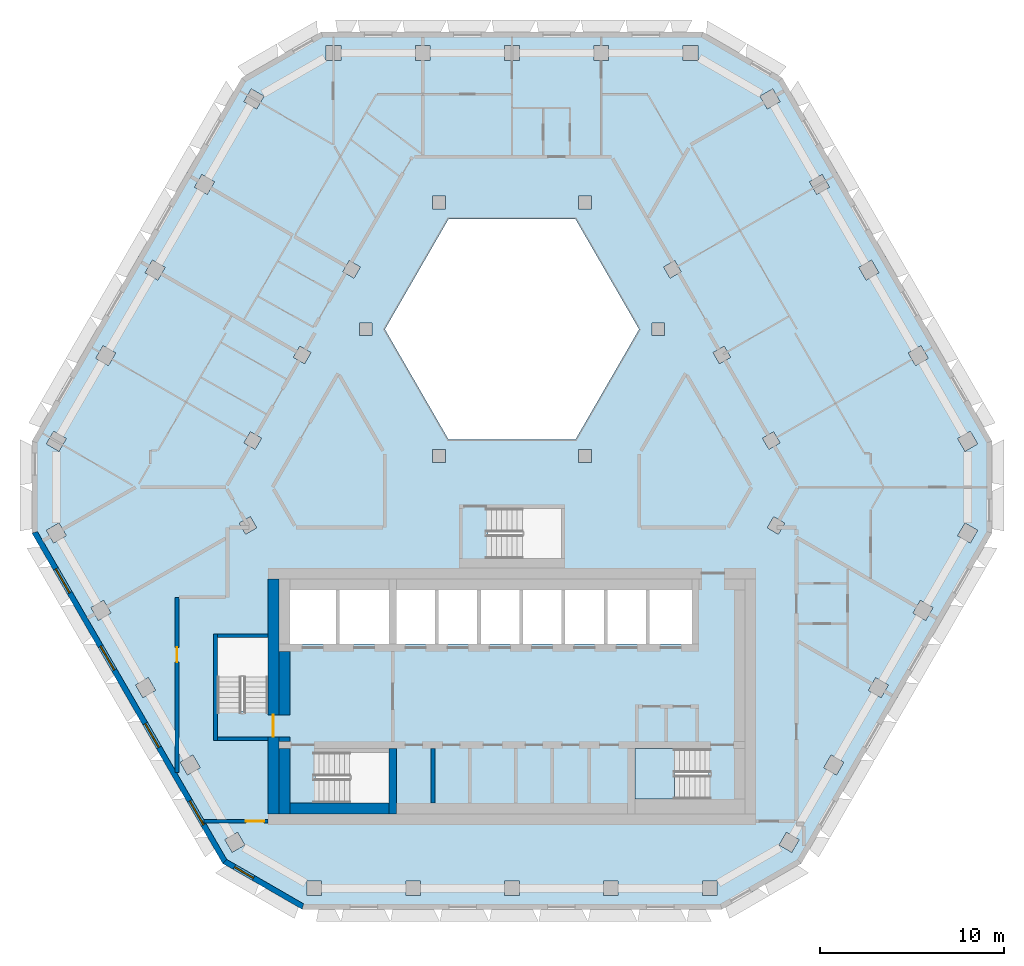
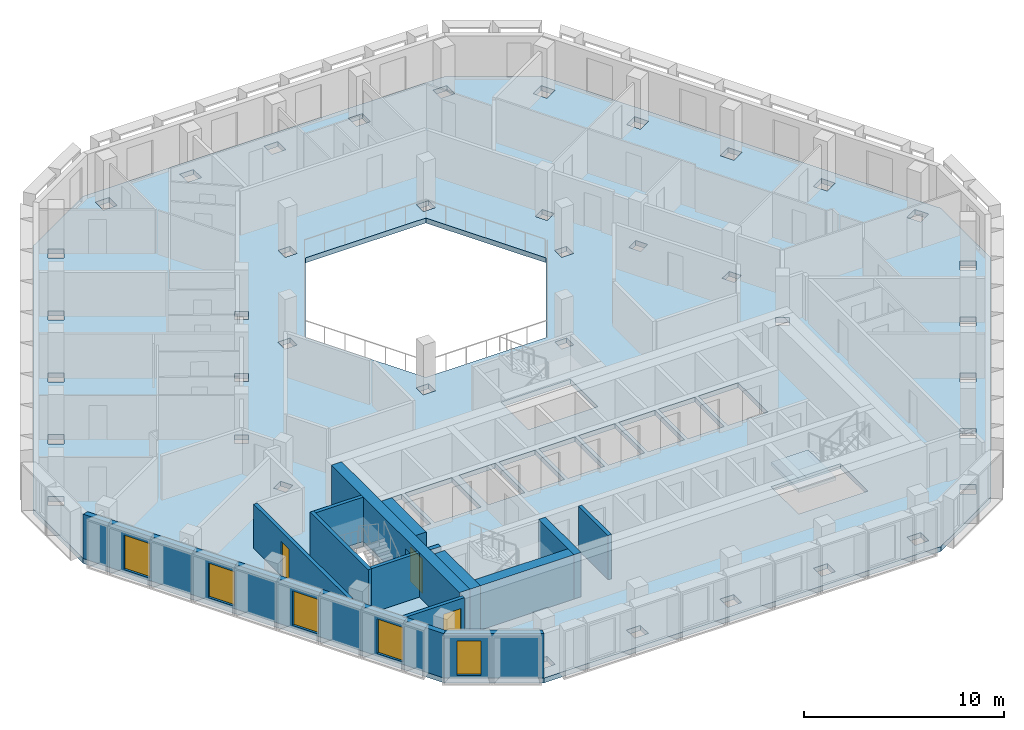
# One storey, part 2 of 15: 14 walls, 5 windows, 3 doors, 2 slabs, 8 openings, 1 element without a shape of its own.
"""IFC4 building model written with IfcOpenShell, lengths in metres."""

from ifc_helpers import new_model, si_unit, direction, frame, frame_2d, origin, place, context, subcontext, project, spatial, polyline, rectangle, outline, extrude, material, layer, layer_set, type_object, element, fill, aggregate, save


model = new_model("IFC4")

# Units and contexts
model_context = context("Model", 3, precision=1e-05, world=origin(), true_north=direction((0.0, 1.0)))
body_context = subcontext(model_context, "Body", "Model", "MODEL_VIEW")
ifc_project = project(units=[si_unit("LENGTHUNIT", "METRE"), si_unit("AREAUNIT", "SQUARE_METRE"), si_unit("VOLUMEUNIT", "CUBIC_METRE"), si_unit("PLANEANGLEUNIT", "RADIAN"), si_unit("MASSUNIT", "GRAM", prefix="KILO")], contexts=[model_context])

# Site, building, storey
site_placement = place(None, origin())
site = spatial("IfcSite", under=ifc_project, at=site_placement, CompositionType="ELEMENT")
building_placement = place(site_placement, origin())
building = spatial("IfcBuilding", under=site, at=building_placement, Name="Beryl Residences", CompositionType="ELEMENT")
storey_placement = place(building_placement, frame((0.0, 0.0, 175.199951171875)))
storey = spatial("IfcBuildingStorey", under=building, at=storey_placement, Name="L53", CompositionType="ELEMENT", Elevation=175.199951171875)

# Slab
ifc_material_1 = material(Name="Concrete C40/50", Category="concrete")
ifc_layer_1 = layer(ifc_material_1, 0.300048828125)
ifc_layer_set_1 = layer_set([ifc_layer_1], Name="SL7 PT floor slab 300 mm C40/50")
slab_type_1 = type_object("IfcSlabType", Name="SL7 PT floor slab 300 mm C40/50", PredefinedType="FLOOR", material=ifc_layer_set_1)
slab_1_placement = place(storey_placement, frame((0.0, 0.0, -0.300048828125)))
element("IfcSlab", 1, at=slab_1_placement, inside=storey, type_object=slab_type_1, Name="L53 slab 1", PredefinedType="FLOOR", context=body_context, shape_type="SweptSolid", body=[
    extrude(outline(polyline([(26.154052734375, -3.10009765625), (15.760986328125, -21.10009765625), (11.430908203125, -23.60009765625), (-11.430908203125, -23.60009765625), (-15.760986328125, -21.10009765625), (-26.154052734375, -3.10009765625), (-26.154052734375, 1.89990234375), (-14.721923828125, 21.699951171875), (-10.39208984375, 24.199951171875), (10.39208984375, 24.199951171875), (14.721923828125, 21.699951171875), (26.154052734375, 1.89990234375), (26.154052734375, -3.10009765625)]), holes=[polyline([(24.971923828125, 2.446044921875), (24.280029296875, 2.0458984375), (24.679931640625, 1.35400390625), (25.3720703125, 1.75390625), (24.971923828125, 2.446044921875)]), polyline([(24.678955078125, -2.554931640625), (24.279052734375, -3.2470703125), (24.970947265625, -3.64697265625), (25.37109375, -2.955078125), (24.678955078125, -2.554931640625)]), polyline([(22.2470703125, -6.76806640625), (21.846923828125, -7.4599609375), (22.5390625, -7.860107421875), (22.93896484375, -7.16796875), (22.2470703125, -6.76806640625)]), polyline([(22.280029296875, 7.10791015625), (21.587890625, 6.7080078125), (21.988037109375, 6.01611328125), (22.679931640625, 6.416015625), (22.280029296875, 7.10791015625)]), polyline([(19.4150390625, -11.672119140625), (20.10693359375, -12.072021484375), (20.507080078125, -11.3798828125), (19.81494140625, -10.97998046875), (19.4150390625, -11.672119140625)]), polyline([(18.89599609375, 11.37109375), (19.2958984375, 10.678955078125), (19.988037109375, 11.0791015625), (19.587890625, 11.77099609375), (18.89599609375, 11.37109375)]), polyline([(18.074951171875, -15.592041015625), (17.383056640625, -15.19189453125), (16.98291015625, -15.884033203125), (17.675048828125, -16.283935546875), (18.074951171875, -15.592041015625)]), polyline([(16.89599609375, 16.43408203125), (16.2041015625, 16.033935546875), (16.60400390625, 15.342041015625), (17.2958984375, 15.741943359375), (16.89599609375, 16.43408203125)]), polyline([(15.64306640625, -19.804931640625), (14.950927734375, -19.405029296875), (14.551025390625, -20.096923828125), (15.242919921875, -20.4970703125), (15.64306640625, -19.804931640625)]), polyline([(14.860107421875, -2.56103515625), (14.25390625, -2.2109375), (13.904052734375, -2.81689453125), (14.510009765625, -3.1669921875), (14.860107421875, -2.56103515625)]), polyline([(14.2041015625, 21.095947265625), (13.511962890625, 20.696044921875), (13.912109375, 20.00390625), (14.60400390625, 20.404052734375), (14.2041015625, 21.095947265625)]), polyline([(13.64501953125, 2.06494140625), (13.9951171875, 1.458984375), (14.60107421875, 1.80908203125), (14.2509765625, 2.4150390625), (13.64501953125, 2.06494140625)]), polyline([(11.55908203125, 7.077880859375), (10.952880859375, 6.72802734375), (11.302978515625, 6.1220703125), (11.908935546875, 6.471923828125), (11.55908203125, 7.077880859375)]), polyline([(11.1689453125, -22.050048828125), (10.368896484375, -22.050048828125), (10.368896484375, -22.85009765625), (11.1689453125, -22.85009765625), (11.1689453125, -22.050048828125)]), polyline([(6.699951171875, -14.85009765625), (6.699951171875, -17.60009765625), (10.699951171875, -17.60009765625), (10.699951171875, -14.85009765625), (6.699951171875, -14.85009765625)]), polyline([(9.327880859375, 23.449951171875), (9.327880859375, 22.64990234375), (10.1279296875, 22.64990234375), (10.1279296875, 23.449951171875), (9.327880859375, 23.449951171875)]), polyline([(7.5, -9.14990234375), (9.800048828125, -9.14990234375), (9.800048828125, -6.199951171875), (7.5, -6.199951171875), (7.5, -9.14990234375)]), polyline([(8.260986328125, 11.39111328125), (8.611083984375, 10.784912109375), (9.217041015625, 11.135009765625), (8.866943359375, 11.740966796875), (8.260986328125, 11.39111328125)]), polyline([(8.31689453125, 7.64990234375), (8.31689453125, 8.35009765625), (7.616943359375, 8.35009765625), (7.616943359375, 7.64990234375), (8.31689453125, 7.64990234375)]), polyline([(5.199951171875, -9.14990234375), (7.300048828125, -9.14990234375), (7.300048828125, -6.199951171875), (5.199951171875, -6.199951171875), (5.199951171875, -9.14990234375)]), polyline([(3.464111328125, 14.0), (-3.464111328125, 14.0), (-6.92822265625, 8.0), (-3.464111328125, 2.0), (3.464111328125, 2.0), (6.92822265625, 8.0), (3.464111328125, 14.0)]), polyline([(5.784912109375, -22.85009765625), (5.784912109375, -22.050048828125), (4.985107421875, -22.050048828125), (4.985107421875, -22.85009765625), (5.784912109375, -22.85009765625)]), polyline([(4.464111328125, 23.449951171875), (4.464111328125, 22.64990234375), (5.263916015625, 22.64990234375), (5.263916015625, 23.449951171875), (4.464111328125, 23.449951171875)]), polyline([(5.0, -9.14990234375), (5.0, -6.199951171875), (2.89990234375, -6.199951171875), (2.89990234375, -9.14990234375), (5.0, -9.14990234375)]), polyline([(4.333984375, 14.550048828125), (4.333984375, 15.25), (3.634033203125, 15.25), (3.634033203125, 14.550048828125), (4.333984375, 14.550048828125)]), polyline([(4.333984375, 1.449951171875), (3.634033203125, 1.449951171875), (3.634033203125, 0.75), (4.333984375, 0.75), (4.333984375, 1.449951171875)]), polyline([(2.699951171875, -4.5), (2.699951171875, -1.75), (-1.300048828125, -1.75), (-1.300048828125, -4.5), (2.699951171875, -4.5)]), polyline([(0.60009765625, -9.14990234375), (2.699951171875, -9.14990234375), (2.699951171875, -6.199951171875), (0.60009765625, -6.199951171875), (0.60009765625, -9.14990234375)]), polyline([(-0.39892578125, -22.050048828125), (-0.39892578125, -22.85009765625), (0.40087890625, -22.85009765625), (0.40087890625, -22.050048828125), (-0.39892578125, -22.050048828125)]), polyline([(0.39990234375, 22.64990234375), (0.39990234375, 23.449951171875), (-0.39990234375, 23.449951171875), (-0.39990234375, 22.64990234375), (0.39990234375, 22.64990234375)]), polyline([(0.39990234375, -6.199951171875), (-1.699951171875, -6.199951171875), (-1.699951171875, -9.14990234375), (0.39990234375, -9.14990234375), (0.39990234375, -6.199951171875)]), polyline([(-4.0, -9.14990234375), (-1.89990234375, -9.14990234375), (-1.89990234375, -6.199951171875), (-4.0, -6.199951171875), (-4.0, -9.14990234375)]), polyline([(-3.634033203125, 15.25), (-4.333984375, 15.25), (-4.333984375, 14.550048828125), (-3.634033203125, 14.550048828125), (-3.634033203125, 15.25)]), polyline([(-3.634033203125, 0.75), (-3.634033203125, 1.449951171875), (-4.333984375, 1.449951171875), (-4.333984375, 0.75), (-3.634033203125, 0.75)]), polyline([(-6.300048828125, -9.14990234375), (-4.199951171875, -9.14990234375), (-4.199951171875, -6.199951171875), (-6.300048828125, -6.199951171875), (-6.300048828125, -9.14990234375)]), polyline([(-5.263916015625, 23.449951171875), (-5.263916015625, 22.64990234375), (-4.464111328125, 22.64990234375), (-4.464111328125, 23.449951171875), (-5.263916015625, 23.449951171875)]), polyline([(-4.98291015625, -22.85009765625), (-4.98291015625, -22.050048828125), (-5.782958984375, -22.050048828125), (-5.782958984375, -22.85009765625), (-4.98291015625, -22.85009765625)]), polyline([(-6.699951171875, -6.199951171875), (-9.39990234375, -6.199951171875), (-9.39990234375, -9.14990234375), (-6.699951171875, -9.14990234375), (-6.699951171875, -6.199951171875)]), polyline([(-10.699951171875, -15.050048828125), (-10.699951171875, -17.800048828125), (-6.699951171875, -17.800048828125), (-6.699951171875, -15.050048828125), (-10.699951171875, -15.050048828125)]), polyline([(-7.616943359375, 7.64990234375), (-7.616943359375, 8.35009765625), (-8.31689453125, 8.35009765625), (-8.31689453125, 7.64990234375), (-7.616943359375, 7.64990234375)]), polyline([(-8.611083984375, 10.784912109375), (-8.260986328125, 11.39111328125), (-8.866943359375, 11.740966796875), (-9.217041015625, 11.135009765625), (-8.611083984375, 10.784912109375)]), polyline([(-10.1279296875, 23.449951171875), (-10.1279296875, 22.64990234375), (-9.327880859375, 22.64990234375), (-9.327880859375, 23.449951171875), (-10.1279296875, 23.449951171875)]), polyline([(-12.10009765625, -9.14990234375), (-9.60009765625, -9.14990234375), (-9.60009765625, -6.199951171875), (-12.10009765625, -6.199951171875), (-12.10009765625, -9.14990234375)]), polyline([(-11.1669921875, -22.050048828125), (-11.1669921875, -22.85009765625), (-10.366943359375, -22.85009765625), (-10.366943359375, -22.050048828125), (-11.1669921875, -22.050048828125)]), polyline([(-11.908935546875, 6.471923828125), (-11.302978515625, 6.1220703125), (-10.952880859375, 6.72802734375), (-11.55908203125, 7.077880859375), (-11.908935546875, 6.471923828125)]), polyline([(-13.300048828125, -8.800048828125), (-16.050048828125, -8.800048828125), (-16.050048828125, -12.800048828125), (-13.300048828125, -12.800048828125), (-13.300048828125, -8.800048828125)]), polyline([(-13.912109375, 20.00390625), (-13.511962890625, 20.696044921875), (-14.2041015625, 21.095947265625), (-14.60400390625, 20.404052734375), (-13.912109375, 20.00390625)]), polyline([(-13.9951171875, 1.458984375), (-13.64501953125, 2.06494140625), (-14.2509765625, 2.4150390625), (-14.60107421875, 1.80908203125), (-13.9951171875, 1.458984375)]), polyline([(-14.510986328125, -3.1650390625), (-13.905029296875, -2.81494140625), (-14.2548828125, -2.208984375), (-14.861083984375, -2.55908203125), (-14.510986328125, -3.1650390625)]), polyline([(-14.552001953125, -20.094970703125), (-14.951904296875, -19.403076171875), (-15.64404296875, -19.802978515625), (-15.243896484375, -20.4951171875), (-14.552001953125, -20.094970703125)]), polyline([(-16.60400390625, 15.342041015625), (-16.2041015625, 16.033935546875), (-16.89599609375, 16.43408203125), (-17.2958984375, 15.741943359375), (-16.60400390625, 15.342041015625)]), polyline([(-16.98388671875, -15.882080078125), (-17.384033203125, -15.18994140625), (-18.075927734375, -15.590087890625), (-17.676025390625, -16.281982421875), (-16.98388671875, -15.882080078125)]), polyline([(-18.89599609375, 11.37109375), (-19.587890625, 11.77099609375), (-19.988037109375, 11.0791015625), (-19.2958984375, 10.678955078125), (-18.89599609375, 11.37109375)]), polyline([(-20.10791015625, -12.070068359375), (-19.416015625, -11.669921875), (-19.81591796875, -10.97802734375), (-20.508056640625, -11.3779296875), (-20.10791015625, -12.070068359375)]), polyline([(-22.679931640625, 6.416015625), (-21.988037109375, 6.01611328125), (-21.587890625, 6.7080078125), (-22.280029296875, 7.10791015625), (-22.679931640625, 6.416015625)]), polyline([(-21.847900390625, -7.4580078125), (-22.248046875, -6.76611328125), (-22.93994140625, -7.166015625), (-22.5400390625, -7.85791015625), (-21.847900390625, -7.4580078125)]), polyline([(-25.3720703125, 1.75390625), (-24.679931640625, 1.35400390625), (-24.280029296875, 2.0458984375), (-24.971923828125, 2.446044921875), (-25.3720703125, 1.75390625)]), polyline([(-24.280029296875, -3.2451171875), (-24.679931640625, -2.552978515625), (-25.3720703125, -2.952880859375), (-24.971923828125, -3.64501953125), (-24.280029296875, -3.2451171875)])]), origin(), (0.0, 0.0, 1.0), 0.300048828125),
])

# Stair, slab
ifc_material_2 = material(Name="Concrete C40/50", Category="concrete")
stair_type = type_object("IfcStairType", Name="ST1 protected exit stair, half-turn, 1300 mm flights", PredefinedType="HALF_TURN_STAIR", material=ifc_material_2)
stair_placement = place(storey_placement, origin())
stair = element("IfcStair", 2, at=stair_placement, inside=storey, type_object=stair_type, Name="L53 PROTECTED EXIT STAIR ST-3", PredefinedType="HALF_TURN_STAIR")
ifc_material_3 = material(Name="Concrete C40/50", Category="concrete")
ifc_layer_2 = layer(ifc_material_3, 0.199951171875)
ifc_layer_set_2 = layer_set([ifc_layer_2], Name="SLD1 stair landing 200 mm")
slab_type_2 = type_object("IfcSlabType", Name="SLD1 stair landing 200 mm", PredefinedType="LANDING", material=ifc_layer_set_2)
slab_2_placement = place(storey_placement, frame((0.0, 0.0, 1.300048828125)))
slab_2 = element("IfcSlab", 3, at=slab_2_placement, type_object=slab_type_2, Name="ST-3 landing 1", PredefinedType="LANDING", context=body_context, shape_type="SweptSolid", body=[
    extrude(outline(polyline([(8.840087890625, -14.85009765625), (6.699951171875, -14.85009765625), (6.699951171875, -17.60009765625), (8.840087890625, -17.60009765625), (8.840087890625, -14.85009765625)])), origin(), (0.0, 0.0, 1.0), 0.199951171875),
])
aggregate(stair, [slab_2])

# Wall, openings, windows
ifc_material_4 = material(Name="Composite metal panel with mineral wool insulation")
ifc_layer_3 = layer(ifc_material_4, 0.300048828125)
ifc_layer_set_3 = layer_set([ifc_layer_3], Name="ES1 pale metal composite panel wall 300 mm")
wall_type_1 = type_object("IfcWallType", Name="ES1 pale metal composite panel wall 300 mm", PredefinedType="SOLIDWALL", material=ifc_layer_set_3)
wall_1_placement = place(storey_placement, frame((-26.02392578125, -3.02490234375, 0.0), z_axis=(0.0, 0.0, 1.0), x_axis=(0.500018670445, -0.86601462413, 0.0)))
wall_1 = element("IfcWall", 4, at=wall_1_placement, inside=storey, type_object=wall_type_1, Name="ES1 external wall L53 SW", PredefinedType="SOLIDWALL", context=body_context, shape_type="SweptSolid", body=[
    extrude(outline(polyline([(0.0, -0.14990234375), (20.784912109375, -0.14990234375), (20.70458984375, 0.14990234375), (0.080322265625, 0.14990234375), (0.0, -0.14990234375)])), origin(), (0.0, 0.0, 1.0), 2.699951171875),
])
opening_1_placement = place(wall_1_placement, frame((2.345947265625, 0.0, 0.14990234375)))
opening_1 = element("IfcOpeningElement", 5, at=opening_1_placement, cuts=wall_1, Name="Opening W1", PredefinedType="OPENING", context=body_context, shape_type="SweptSolid", body=[
    extrude(rectangle(XDim=1.5, YDim=2.10009765625, at=frame_2d((0.75, 1.050048828125))), frame((0.0, 0.159912109375, 0.0), z_axis=(0.0, -1.0, 0.0), x_axis=(1.0, 0.0, 0.0)), (0.0, 0.0, 1.0), 0.320068359375),
])
opening_2_placement = place(wall_1_placement, frame((7.2099609375, 0.0, 0.14990234375)))
opening_2 = element("IfcOpeningElement", 6, at=opening_2_placement, cuts=wall_1, Name="Opening W1", PredefinedType="OPENING", context=body_context, shape_type="SweptSolid", body=[
    extrude(rectangle(XDim=1.5, YDim=2.10009765625, at=frame_2d((0.75, 1.050048828125))), frame((0.0, 0.159912109375, 0.0), z_axis=(0.0, -1.0, 0.0), x_axis=(1.0, 0.0, 0.0)), (0.0, 0.0, 1.0), 0.320068359375),
])
opening_3_placement = place(wall_1_placement, frame((12.072998046875, 0.0, 0.14990234375)))
opening_3 = element("IfcOpeningElement", 7, at=opening_3_placement, cuts=wall_1, Name="Opening W1", PredefinedType="OPENING", context=body_context, shape_type="SweptSolid", body=[
    extrude(rectangle(XDim=1.5, YDim=2.10009765625, at=frame_2d((0.75, 1.050048828125))), frame((0.0, 0.159912109375, 0.0), z_axis=(0.0, -1.0, 0.0), x_axis=(1.0, 0.0, 0.0)), (0.0, 0.0, 1.0), 0.320068359375),
])
opening_4_placement = place(wall_1_placement, frame((16.93798828125, 0.0, 0.14990234375)))
opening_4 = element("IfcOpeningElement", 8, at=opening_4_placement, cuts=wall_1, Name="Opening W1", PredefinedType="OPENING", context=body_context, shape_type="SweptSolid", body=[
    extrude(rectangle(XDim=1.5, YDim=2.10009765625, at=frame_2d((0.75, 1.050048828125))), frame((0.0, 0.159912109375, 0.0), z_axis=(0.0, -1.0, 0.0), x_axis=(1.0, 0.0, 0.0)), (0.0, 0.0, 1.0), 0.320068359375),
])
ifc_material_5 = material(Name="Aluminium and clear glass", Category="aluminium")
window_type_1 = type_object("IfcWindowType", Name="W1 cell window 1500 x 2100 mm", PartitioningType="SINGLE_PANEL", PredefinedType="WINDOW", material=ifc_material_5)
window_1_placement = place(opening_1_placement, origin())
window_1 = element("IfcWindow", 9, at=window_1_placement, inside=storey, type_object=window_type_1, Name="W1 window L53 SW 2", OverallHeight=2.10009765625, OverallWidth=1.5, PartitioningType="SINGLE_PANEL", PredefinedType="WINDOW", context=body_context, shape_type="SweptSolid", body=[
    extrude(rectangle(XDim=1.5, YDim=2.10009765625, at=frame_2d((0.75, 1.050048828125))), frame((0.0, 0.030029296875, 0.0), z_axis=(0.0, -1.0, 0.0), x_axis=(1.0, 0.0, 0.0)), (0.0, 0.0, 1.0), 0.06005859375),
])
fill(opening_1, window_1)
window_2_placement = place(opening_2_placement, origin())
window_2 = element("IfcWindow", 10, at=window_2_placement, inside=storey, type_object=window_type_1, Name="W1 window L53 SW 4", OverallHeight=2.10009765625, OverallWidth=1.5, PartitioningType="SINGLE_PANEL", PredefinedType="WINDOW", context=body_context, shape_type="SweptSolid", body=[
    extrude(rectangle(XDim=1.5, YDim=2.10009765625, at=frame_2d((0.75, 1.050048828125))), frame((0.0, 0.030029296875, 0.0), z_axis=(0.0, -1.0, 0.0), x_axis=(1.0, 0.0, 0.0)), (0.0, 0.0, 1.0), 0.06005859375),
])
fill(opening_2, window_2)
window_3_placement = place(opening_3_placement, origin())
window_3 = element("IfcWindow", 11, at=window_3_placement, inside=storey, type_object=window_type_1, Name="W1 window L53 SW 6", OverallHeight=2.10009765625, OverallWidth=1.5, PartitioningType="SINGLE_PANEL", PredefinedType="WINDOW", context=body_context, shape_type="SweptSolid", body=[
    extrude(rectangle(XDim=1.5, YDim=2.10009765625, at=frame_2d((0.75, 1.050048828125))), frame((0.0, 0.030029296875, 0.0), z_axis=(0.0, -1.0, 0.0), x_axis=(1.0, 0.0, 0.0)), (0.0, 0.0, 1.0), 0.06005859375),
])
fill(opening_3, window_3)
window_4_placement = place(opening_4_placement, origin())
window_4 = element("IfcWindow", 12, at=window_4_placement, inside=storey, type_object=window_type_1, Name="W1 window L53 SW 8", OverallHeight=2.10009765625, OverallWidth=1.5, PartitioningType="SINGLE_PANEL", PredefinedType="WINDOW", context=body_context, shape_type="SweptSolid", body=[
    extrude(rectangle(XDim=1.5, YDim=2.10009765625, at=frame_2d((0.75, 1.050048828125))), frame((0.0, 0.030029296875, 0.0), z_axis=(0.0, -1.0, 0.0), x_axis=(1.0, 0.0, 0.0)), (0.0, 0.0, 1.0), 0.06005859375),
])
fill(opening_4, window_4)

# Wall, opening, window
wall_2_placement = place(storey_placement, frame((-15.68603515625, -20.969970703125, 0.0), z_axis=(0.0, 0.0, 1.0), x_axis=(0.866022959057, -0.500004234368, 0.0)))
wall_2 = element("IfcWall", 13, at=wall_2_placement, inside=storey, type_object=wall_type_1, Name="ES1 external wall L53 SW-S", PredefinedType="SOLIDWALL", context=body_context, shape_type="SweptSolid", body=[
    extrude(outline(polyline([(0.0, -0.14990234375), (5.0, -0.14990234375), (4.919677734375, 0.14990234375), (0.080322265625, 0.14990234375), (0.0, -0.14990234375)])), origin(), (0.0, 0.0, 1.0), 2.699951171875),
])
opening_5_placement = place(wall_2_placement, frame((0.64990234375, 0.0, 0.14990234375)))
opening_5 = element("IfcOpeningElement", 14, at=opening_5_placement, cuts=wall_2, Name="Opening W2", PredefinedType="OPENING", context=body_context, shape_type="SweptSolid", body=[
    extrude(rectangle(XDim=1.199951171875, YDim=2.10009765625, at=frame_2d((0.60009765625, 1.050048828125))), frame((0.0, 0.159912109375, 0.0), z_axis=(0.0, -1.0, 0.0), x_axis=(1.0, 0.0, 0.0)), (0.0, 0.0, 1.0), 0.320068359375),
])
ifc_material_6 = material(Name="Aluminium and clear glass", Category="aluminium")
window_type_2 = type_object("IfcWindowType", Name="W2 chamfer window 1200 x 2100 mm", PartitioningType="SINGLE_PANEL", PredefinedType="WINDOW", material=ifc_material_6)
window_5_placement = place(opening_5_placement, origin())
window_5 = element("IfcWindow", 15, at=window_5_placement, inside=storey, type_object=window_type_2, Name="W2 window L53 SW-S 1", OverallHeight=2.10009765625, OverallWidth=1.199951171875, PartitioningType="SINGLE_PANEL", PredefinedType="WINDOW", context=body_context, shape_type="SweptSolid", body=[
    extrude(rectangle(XDim=1.199951171875, YDim=2.10009765625, at=frame_2d((0.60009765625, 1.050048828125))), frame((0.0, 0.030029296875, 0.0), z_axis=(0.0, -1.0, 0.0), x_axis=(1.0, 0.0, 0.0)), (0.0, 0.0, 1.0), 0.06005859375),
])
fill(opening_5, window_5)

# Walls
ifc_material_7 = material(Name="Concrete masonry", Category="masonry")
ifc_layer_4 = layer(ifc_material_7, 0.25)
ifc_layer_set_4 = layer_set([ifc_layer_4], Name="PT13-250 lobby wall 250 mm")
wall_type_2 = type_object("IfcWallType", Name="PT13-250 lobby wall 250 mm", PredefinedType="PARTITIONING", material=ifc_layer_set_4)
wall_3_placement = place(storey_placement, frame((-12.699951171875, -14.324951171875, 0.0), z_axis=(0.0, 0.0, 1.0), x_axis=(1.0, 0.0, 0.0)))
element("IfcWall", 16, at=wall_3_placement, inside=storey, type_object=wall_type_2, Name="Lobby wall 05", PredefinedType="PARTITIONING", context=body_context, shape_type="SweptSolid", body=[
    extrude(rectangle(XDim=0.599853515625, YDim=0.25, at=frame_2d((0.2998046875, 0.0))), origin(), (0.0, 0.0, 1.0), 2.699951171875),
])
ifc_material_8 = material(Name="Concrete masonry", Category="masonry")
ifc_layer_5 = layer(ifc_material_8, 0.60009765625)
ifc_layer_set_5 = layer_set([ifc_layer_5], Name="PT13-600 lobby wall 600 mm")
wall_type_3 = type_object("IfcWallType", Name="PT13-600 lobby wall 600 mm", PredefinedType="PARTITIONING", material=ifc_layer_set_5)
wall_4_placement = place(storey_placement, frame((-12.39990234375, -13.0, 0.0), z_axis=(0.0, 0.0, 1.0), x_axis=(0.0, 1.0, 0.0)))
element("IfcWall", 17, at=wall_4_placement, inside=storey, type_object=wall_type_3, Name="Lobby wall 06", PredefinedType="PARTITIONING", context=body_context, shape_type="SweptSolid", body=[
    extrude(rectangle(XDim=3.449951171875, YDim=0.60009765625, at=frame_2d((1.72509765625, 0.0))), origin(), (0.0, 0.0, 1.0), 2.699951171875),
])

# Wall, opening, door
ifc_material_9 = material(Name="Double stud gypsum board wall")
ifc_layer_6 = layer(ifc_material_9, 0.199951171875)
ifc_layer_set_6 = layer_set([ifc_layer_6], Name="PT4 corridor wall 200 mm double stud")
wall_type_4 = type_object("IfcWallType", Name="PT4 corridor wall 200 mm double stud", PredefinedType="PARTITIONING", material=ifc_layer_set_6)
wall_5_placement = place(storey_placement, frame((-18.25, -16.152099609375, 0.0), z_axis=(0.0, 0.0, 1.0), x_axis=(0.0, 1.0, 0.0)))
wall_5 = element("IfcWall", 18, at=wall_5_placement, inside=storey, type_object=wall_type_4, Name="Wall PT4 L53 025", PredefinedType="PARTITIONING", context=body_context, shape_type="SweptSolid", body=[
    extrude(rectangle(XDim=9.551025390625, YDim=0.199951171875, at=frame_2d((4.775390625, 0.0))), origin(), (0.0, 0.0, 1.0), 2.699951171875),
])
opening_6_placement = place(wall_5_placement, frame((6.02587890625, 0.0, 0.0)))
opening_6 = element("IfcOpeningElement", 19, at=opening_6_placement, cuts=wall_5, Name="Opening D1609", PredefinedType="OPENING", context=body_context, shape_type="SweptSolid", body=[
    extrude(rectangle(XDim=0.800048828125, YDim=2.10009765625, at=frame_2d((0.39990234375, 1.050048828125))), frame((0.0, 0.10986328125, 0.0), z_axis=(0.0, -1.0, 0.0), x_axis=(1.0, 0.0, 0.0)), (0.0, 0.0, 1.0), 0.219970703125),
])
ifc_material_10 = material(Name="Timber door leaf", Category="wood")
door_type_1 = type_object("IfcDoorType", Name="D3 bathroom door 800 x 2100 mm", OperationType="SINGLE_SWING_LEFT", PredefinedType="DOOR", material=ifc_material_10)
door_1_placement = place(opening_6_placement, origin())
door_1 = element("IfcDoor", 20, at=door_1_placement, inside=storey, type_object=door_type_1, Name="Door D1609 L53 001", OperationType="SINGLE_SWING_LEFT", OverallHeight=2.10009765625, OverallWidth=0.800048828125, PredefinedType="DOOR", context=body_context, shape_type="SweptSolid", body=[
    extrude(rectangle(XDim=0.800048828125, YDim=2.10009765625, at=frame_2d((0.39990234375, 1.050048828125))), frame((0.0, 0.02490234375, 0.0), z_axis=(0.0, -1.0, 0.0), x_axis=(1.0, 0.0, 0.0)), (0.0, 0.0, 1.0), 0.050048828125),
])
fill(opening_6, door_1)

wall_6_placement = place(storey_placement, frame((-16.7919921875, -18.800048828125, 0.0), z_axis=(0.0, 0.0, 1.0), x_axis=(1.0, 0.0, 0.0)))
wall_6 = element("IfcWall", 21, at=wall_6_placement, inside=storey, type_object=wall_type_4, Name="Wall PT4 L53 026", PredefinedType="PARTITIONING", context=body_context, shape_type="SweptSolid", body=[
    extrude(rectangle(XDim=3.491943359375, YDim=0.199951171875, at=frame_2d((1.74609375, 0.0))), origin(), (0.0, 0.0, 1.0), 2.699951171875),
])
opening_7_placement = place(wall_6_placement, frame((2.2919921875, 0.0, 0.0)))
opening_7 = element("IfcOpeningElement", 22, at=opening_7_placement, cuts=wall_6, Name="Opening D1645", PredefinedType="OPENING", context=body_context, shape_type="SweptSolid", body=[
    extrude(rectangle(XDim=1.0, YDim=2.10009765625, at=frame_2d((0.5, 1.050048828125))), frame((0.0, 0.10986328125, 0.0), z_axis=(0.0, -1.0, 0.0), x_axis=(1.0, 0.0, 0.0)), (0.0, 0.0, 1.0), 0.219970703125),
])
ifc_material_11 = material(Name="Timber door leaf", Category="wood")
door_type_2 = type_object("IfcDoorType", Name="D1 flat entrance door 1000 x 2100 mm", OperationType="SINGLE_SWING_LEFT", PredefinedType="DOOR", material=ifc_material_11)
door_2_placement = place(opening_7_placement, origin())
door_2 = element("IfcDoor", 23, at=door_2_placement, inside=storey, type_object=door_type_2, Name="Door D1645 L53 001", OperationType="SINGLE_SWING_RIGHT", OverallHeight=2.10009765625, OverallWidth=1.0, PredefinedType="DOOR", context=body_context, shape_type="SweptSolid", body=[
    extrude(rectangle(XDim=1.0, YDim=2.10009765625, at=frame_2d((0.5, 1.050048828125))), frame((0.0, 0.02490234375, 0.0), z_axis=(0.0, -1.0, 0.0), x_axis=(1.0, 0.0, 0.0)), (0.0, 0.0, 1.0), 0.050048828125),
])
fill(opening_7, door_2)

# Walls
ifc_material_12 = material(Name="Concrete C40/50", Category="concrete")
ifc_layer_7 = layer(ifc_material_12, 0.199951171875)
ifc_layer_set_7 = layer_set([ifc_layer_7], Name="PT5 stair enclosure wall 200 mm reinforced concrete C40/50")
wall_type_5 = type_object("IfcWallType", Name="PT5 stair enclosure wall 200 mm reinforced concrete C40/50", PredefinedType="SOLIDWALL", material=ifc_layer_set_7)
wall_7_placement = place(storey_placement, frame((-16.14990234375, -14.39990234375, 0.0), z_axis=(0.0, 0.0, 1.0), x_axis=(0.0, 1.0, 0.0)))
element("IfcWall", 24, at=wall_7_placement, inside=storey, type_object=wall_type_5, Name="Stair wall 01", PredefinedType="SOLIDWALL", context=body_context, shape_type="SweptSolid", body=[
    extrude(rectangle(XDim=5.7998046875, YDim=0.199951171875, at=frame_2d((2.89990234375, 0.0))), origin(), (0.0, 0.0, 1.0), 2.699951171875),
])
for number, where, z_axis, x_axis, name in (
    (25, (-16.050048828125, -14.300048828125, 0.0), (0.0, 0.0, 1.0), (1.0, 0.0, 0.0), "Stair wall 02"),
    (26, (-16.050048828125, -8.699951171875, 0.0), (0.0, 0.0, 1.0), (1.0, 0.0, 0.0), "Stair wall 03"),
):
    element("IfcWall", number, at=place(storey_placement, frame(where, z_axis=z_axis, x_axis=x_axis)), inside=storey, type_object=wall_type_5, Name=name, PredefinedType="SOLIDWALL", context=body_context, shape_type="SweptSolid", body=[
        extrude(rectangle(XDim=2.75, YDim=0.199951171875, at=frame_2d((1.375, 0.0))), origin(), (0.0, 0.0, 1.0), 2.699951171875),
    ])
ifc_material_13 = material(Name="Concrete C40/50", Category="concrete")
ifc_layer_8 = layer(ifc_material_13, 0.60009765625)
ifc_layer_set_8 = layer_set([ifc_layer_8], Name="PT5-600 stair enclosure wall 600 mm")
wall_type_6 = type_object("IfcWallType", Name="PT5-600 stair enclosure wall 600 mm", PredefinedType="SOLIDWALL", material=ifc_layer_set_8)
wall_8_placement = place(storey_placement, frame((-12.39990234375, -18.39990234375, 0.0), z_axis=(0.0, 0.0, 1.0), x_axis=(0.0, 1.0, 0.0)))
element("IfcWall", 27, at=wall_8_placement, inside=storey, type_object=wall_type_6, Name="Stair wall 04", PredefinedType="SOLIDWALL", context=body_context, shape_type="SweptSolid", body=[
    extrude(rectangle(XDim=3.5498046875, YDim=0.60009765625, at=frame_2d((1.77490234375, 0.0))), origin(), (0.0, 0.0, 1.0), 2.699951171875),
])
wall_9_placement = place(storey_placement, frame((-12.10009765625, -18.10009765625, 0.0), z_axis=(0.0, 0.0, 1.0), x_axis=(1.0, 0.0, 0.0)))
element("IfcWall", 28, at=wall_9_placement, inside=storey, type_object=wall_type_6, Name="Stair wall 08", PredefinedType="SOLIDWALL", context=body_context, shape_type="SweptSolid", body=[
    extrude(rectangle(XDim=5.400146484375, YDim=0.60009765625, at=frame_2d((2.7001953125, 0.0))), origin(), (0.0, 0.0, 1.0), 2.699951171875),
])
ifc_material_14 = material(Name="Concrete masonry", Category="masonry")
ifc_layer_9 = layer(ifc_material_14, 0.199951171875)
ifc_layer_set_9 = layer_set([ifc_layer_9], Name="PT8-200 service room wall 200 mm")
wall_type_7 = type_object("IfcWallType", Name="PT8-200 service room wall 200 mm", PredefinedType="PARTITIONING", material=ifc_layer_set_9)
wall_10_placement = place(storey_placement, frame((-4.300048828125, -17.800048828125, 0.0), z_axis=(0.0, 0.0, 1.0), x_axis=(0.0, 1.0, 0.0)))
element("IfcWall", 29, at=wall_10_placement, inside=storey, type_object=wall_type_7, Name="Core room wall 15", PredefinedType="PARTITIONING", context=body_context, shape_type="SweptSolid", body=[
    extrude(rectangle(XDim=2.949951171875, YDim=0.199951171875, at=frame_2d((1.47509765625, 0.0))), origin(), (0.0, 0.0, 1.0), 2.699951171875),
])

# Wall, opening, door
ifc_material_15 = material(Name="Concrete C50/60", Category="concrete")
ifc_layer_10 = layer(ifc_material_15, 0.60009765625)
ifc_layer_set_10 = layer_set([ifc_layer_10], Name="SW4 core outer wall 600 mm C50/60")
wall_type_8 = type_object("IfcWallType", Name="SW4 core outer wall 600 mm C50/60", PredefinedType="SHEAR", material=ifc_layer_set_10)
wall_11_placement = place(storey_placement, frame((-13.0, -18.39990234375, 0.0), z_axis=(0.0, 0.0, 1.0), x_axis=(0.0, 1.0, 0.0)))
wall_11 = element("IfcWall", 30, at=wall_11_placement, inside=storey, type_object=wall_type_8, Name="Core wall W L53", PredefinedType="SHEAR", context=body_context, shape_type="SweptSolid", body=[
    extrude(rectangle(XDim=12.7998046875, YDim=0.60009765625, at=frame_2d((6.39990234375, 0.0))), origin(), (0.0, 0.0, 1.0), 2.699951171875),
])
opening_8_placement = place(wall_11_placement, frame((4.199951171875, 0.0, 0.0)))
opening_8 = element("IfcOpeningElement", 31, at=opening_8_placement, cuts=wall_11, Name="Opening SD-2", PredefinedType="OPENING", context=body_context, shape_type="SweptSolid", body=[
    extrude(rectangle(XDim=1.199951171875, YDim=2.10009765625, at=frame_2d((0.60009765625, 1.050048828125))), frame((0.0, 0.31005859375, 0.0), z_axis=(0.0, -1.0, 0.0), x_axis=(1.0, 0.0, 0.0)), (0.0, 0.0, 1.0), 0.6201171875),
])
ifc_material_16 = material(Name="Steel door leaf in steel frame", Category="steel")
door_type_3 = type_object("IfcDoorType", Name="D4 stair door 1200 x 2100 mm", OperationType="SINGLE_SWING_LEFT", PredefinedType="DOOR", material=ifc_material_16)
door_3_placement = place(opening_8_placement, origin())
door_3 = element("IfcDoor", 32, at=door_3_placement, inside=storey, type_object=door_type_3, Name="Door SD-2 L53 001", OperationType="SINGLE_SWING_RIGHT", OverallHeight=2.10009765625, OverallWidth=1.199951171875, PredefinedType="DOOR", context=body_context, shape_type="SweptSolid", body=[
    extrude(rectangle(XDim=1.199951171875, YDim=2.10009765625, at=frame_2d((0.60009765625, 1.050048828125))), frame((0.0, 0.02490234375, 0.0), z_axis=(0.0, -1.0, 0.0), x_axis=(1.0, 0.0, 0.0)), (0.0, 0.0, 1.0), 0.050048828125),
])
fill(opening_8, door_3)

# Wall
ifc_material_17 = material(Name="Concrete C50/60", Category="concrete")
ifc_layer_11 = layer(ifc_material_17, 0.39990234375)
ifc_layer_set_11 = layer_set([ifc_layer_11], Name="SW9 core internal wall 400 mm C50/60")
wall_type_9 = type_object("IfcWallType", Name="SW9 core internal wall 400 mm C50/60", PredefinedType="SHEAR", material=ifc_layer_set_11)
wall_12_placement = place(storey_placement, frame((-6.5, -18.39990234375, 0.0), z_axis=(0.0, 0.0, 1.0), x_axis=(0.0, 1.0, 0.0)))
element("IfcWall", 33, at=wall_12_placement, inside=storey, type_object=wall_type_9, Name="Core wall XS1 L53", PredefinedType="SHEAR", context=body_context, shape_type="SweptSolid", body=[
    extrude(rectangle(XDim=3.5498046875, YDim=0.39990234375, at=frame_2d((1.77490234375, 0.0))), origin(), (0.0, 0.0, 1.0), 2.699951171875),
])

save(model, "model.ifc")
